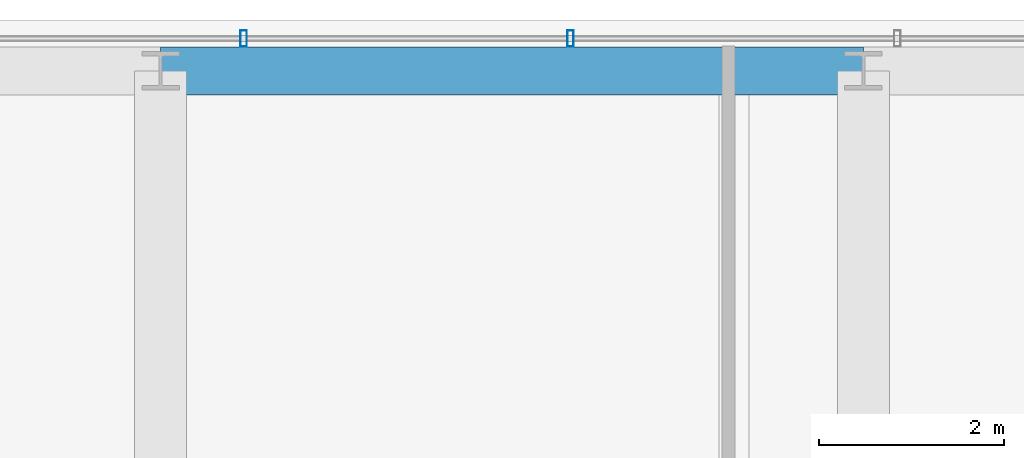
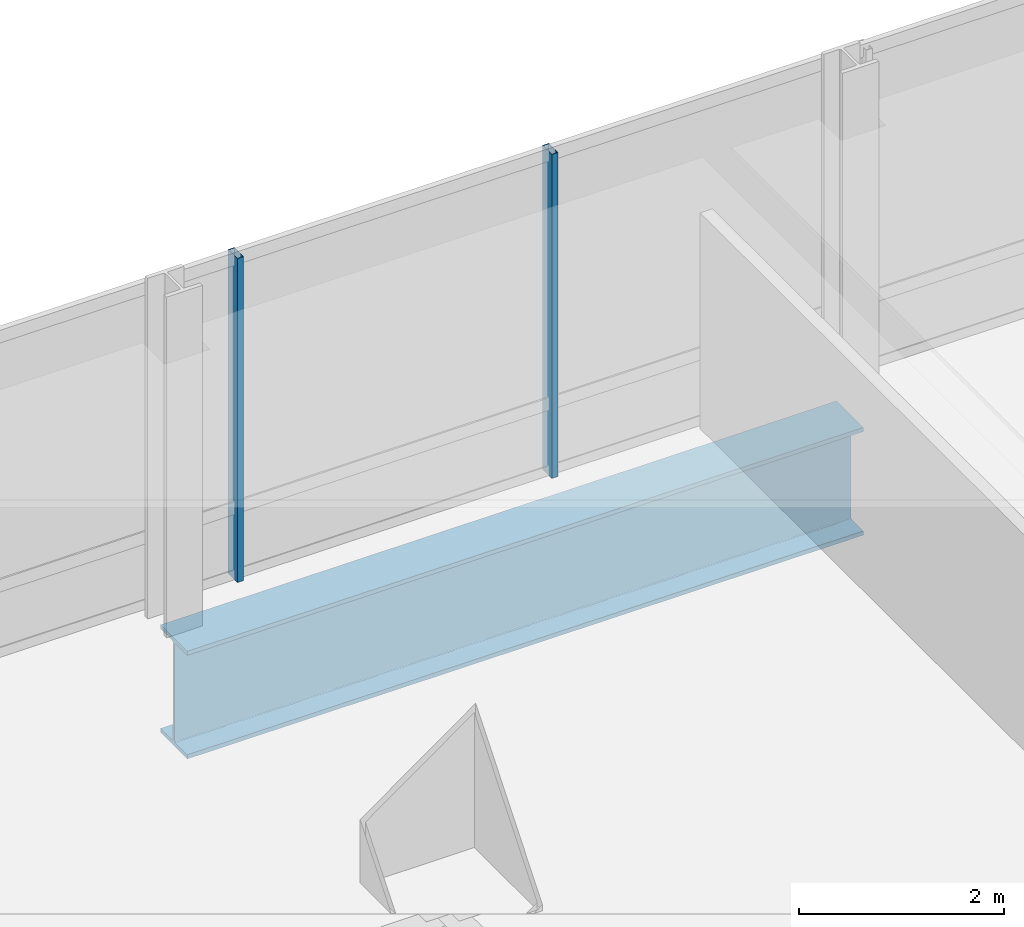
# One storey, part 27 of 39: 2 members, 1 beam, 1 element without a shape of its own.
"""IFC4 building model written with IfcOpenShell, lengths in metres."""

from ifc_helpers import new_model, si_unit, direction, frame, origin, origin_2d, place, context, subcontext, project, spatial, hollow_rectangle, i_section, extrude, material, material_profile, profile_set, type_object, element, aggregate, save


model = new_model("IFC4")

# Units and contexts
model_context = context("Model", 3, precision=1e-05, world=origin(), true_north=direction((0.0, 1.0)))
body_context = subcontext(model_context, "Body", "Model", "MODEL_VIEW")
ifc_project = project(units=[si_unit("LENGTHUNIT", "METRE"), si_unit("AREAUNIT", "SQUARE_METRE"), si_unit("VOLUMEUNIT", "CUBIC_METRE"), si_unit("PLANEANGLEUNIT", "RADIAN"), si_unit("MASSUNIT", "GRAM", prefix="KILO")], contexts=[model_context])

# Site, building, storey
site_placement = place(None, origin())
site = spatial("IfcSite", under=ifc_project, at=site_placement, CompositionType="ELEMENT")
building_placement = place(site_placement, origin())
building = spatial("IfcBuilding", under=site, at=building_placement, Name="Punatoya Terracotta Tower", CompositionType="ELEMENT")
storey_placement = place(building_placement, frame((0.0, 0.0, 275.699951171875)))
storey = spatial("IfcBuildingStorey", under=building, at=storey_placement, Name="L65", CompositionType="ELEMENT", Elevation=275.699951171875)

# Beam
ifc_material_1 = material(Name="Steel S460", Category="steel")
ifc_material_profile_1 = material_profile(ifc_material_1, i_section(OverallWidth=0.52001953125, OverallDepth=1.280029296875, WebThickness=0.031982421875, FlangeThickness=0.050048828125, FilletRadius=0.01806640625, at=origin_2d()))
ifc_profile_set_1 = profile_set([ifc_material_profile_1], Name="Steel S460")
beam_type = type_object("IfcBeamType", Name="BM-TG-NCK", PredefinedType="BEAM", material=ifc_profile_set_1)
beam_placement = place(storey_placement, frame((-3.800048828125, 22.89990234375, -0.83984375), z_axis=(1.0, 0.0, 0.0), x_axis=(0.0, 1.0, 0.0)))
element("IfcBeam", 1, at=beam_placement, inside=storey, type_object=beam_type, Name="BM-L65-PER-N2", PredefinedType="BEAM", context=body_context, shape_type="SweptSolid", body=[
    extrude(i_section(OverallWidth=0.52001953125, OverallDepth=1.280029296875, WebThickness=0.031982421875, FlangeThickness=0.050048828125, FilletRadius=0.01806640625, at=origin_2d()), origin(), (0.0, 0.0, 1.0), 7.60009765625),
])

# Curtain wall, members
ifc_material_2 = material(Name="Aluminium 6063-T6 + Double Low-E Glass", Category="aluminium")
curtain_wall_type = type_object("IfcCurtainWallType", Name="CW-M3", PredefinedType="NOTDEFINED", material=ifc_material_2)
curtain_wall_placement = place(storey_placement, origin())
curtain_wall = element("IfcCurtainWall", 2, at=curtain_wall_placement, inside=storey, type_object=curtain_wall_type, Name="L65 Curtain Wall CW-L65-N09-1", PredefinedType="NOTDEFINED")
ifc_material_3 = material(Name="Aluminium 6063-T6", Category="aluminium")
ifc_material_profile_2 = material_profile(ifc_material_3, hollow_rectangle(XDim=0.070068359375, YDim=0.179931640625, WallThickness=0.00390625, at=origin_2d()))
ifc_profile_set_2 = profile_set([ifc_material_profile_2], Name="Aluminium 6063-T6")
member_type = type_object("IfcMemberType", Name="CW-MUL-M3", PredefinedType="MULLION", material=ifc_profile_set_2)
member_1_placement = place(storey_placement, frame((0.633056640625, 23.25, 0.0), z_axis=(0.0, 0.0, 1.0), x_axis=(1.0, 0.0, 0.0)))
member_1 = element("IfcMember", 3, at=member_1_placement, type_object=member_type, Name="CW-L65-N09-1 Mullion 06", PredefinedType="MULLION", context=body_context, shape_type="SweptSolid", body=[
    extrude(hollow_rectangle(XDim=0.070068359375, YDim=0.179931640625, WallThickness=0.00390625, at=origin_2d()), origin(), (0.0, 0.0, 1.0), 3.85009765625),
])
member_2_placement = place(storey_placement, frame((-2.90087890625, 23.25, 0.0), z_axis=(0.0, 0.0, 1.0), x_axis=(1.0, 0.0, 0.0)))
member_2 = element("IfcMember", 4, at=member_2_placement, type_object=member_type, Name="CW-L65-N09-1 Mullion 07", PredefinedType="MULLION", context=body_context, shape_type="SweptSolid", body=[
    extrude(hollow_rectangle(XDim=0.070068359375, YDim=0.179931640625, WallThickness=0.00390625, at=origin_2d()), origin(), (0.0, 0.0, 1.0), 3.85009765625),
])
aggregate(curtain_wall, [member_1, member_2])

save(model, "model.ifc")
